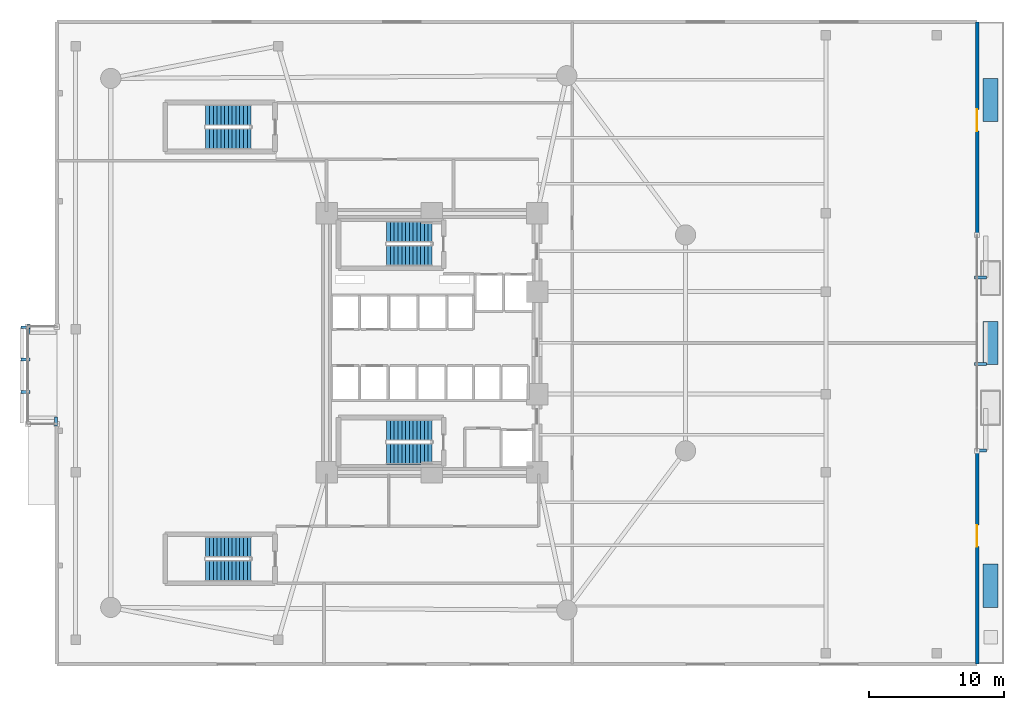
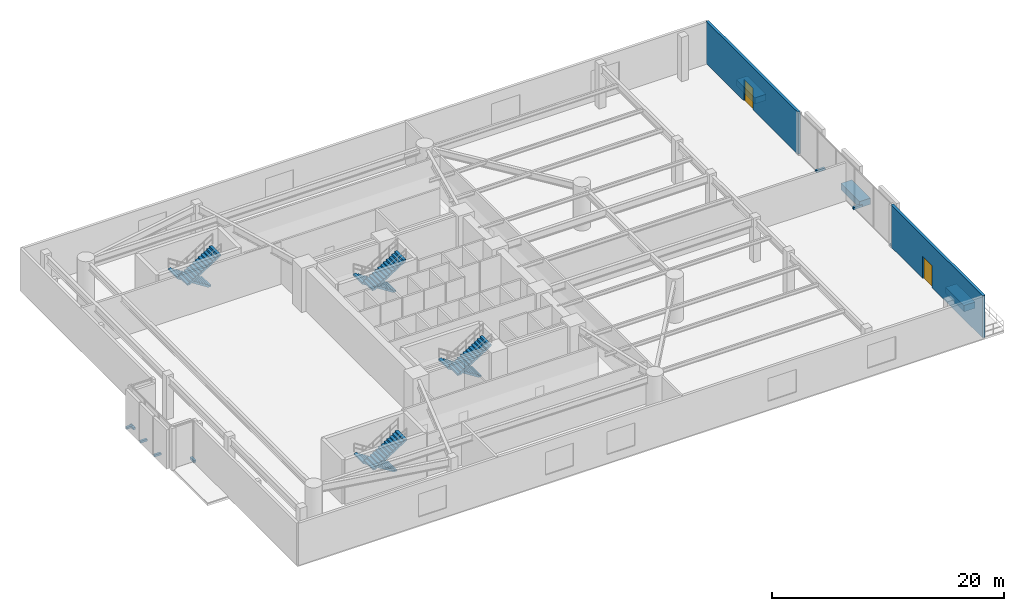
# One storey, part 13 of 16: 11 discrete accessories, 8 stair flights, 2 doors, 2 walls, 2 openings, 4 elements without a shape of their own.
"""IFC4 building model written with IfcOpenShell, lengths in metres."""

from ifc_helpers import new_model, si_unit, direction, frame, frame_2d, origin, origin_2d, place, context, subcontext, project, spatial, polyline, rectangle, outline, extrude, material, layer, layer_set, type_object, element, fill, aggregate, save


model = new_model("IFC4")

# Units and contexts
model_context = context("Model", 3, precision=1e-05, world=origin(), true_north=direction((0.0, 1.0)))
body_context = subcontext(model_context, "Body", "Model", "MODEL_VIEW")
ifc_project = project(units=[si_unit("LENGTHUNIT", "METRE"), si_unit("AREAUNIT", "SQUARE_METRE"), si_unit("VOLUMEUNIT", "CUBIC_METRE"), si_unit("PLANEANGLEUNIT", "RADIAN"), si_unit("MASSUNIT", "GRAM", prefix="KILO")], contexts=[model_context])

# Site, building, storey
site_placement = place(None, origin())
site = spatial("IfcSite", under=ifc_project, at=site_placement, CompositionType="ELEMENT")
building_placement = place(site_placement, origin())
building = spatial("IfcBuilding", under=site, at=building_placement, Name="An Khanh Terracotta Commons", CompositionType="ELEMENT")
storey_placement = place(building_placement, frame((0.0, 0.0, 10.050048828125)))
storey = spatial("IfcBuildingStorey", under=building, at=storey_placement, Name="L03", CompositionType="ELEMENT", Elevation=10.050048828125)

# Wall, opening, door
ifc_material_1 = material(Name="Concrete C40/50", Category="concrete")
ifc_layer = layer(ifc_material_1, 0.260009765625, Name="Concrete C40/50")
ifc_layer_set = layer_set([ifc_layer], Name="Concrete C40/50")
wall_type = type_object("IfcWallType", Name="WALL-POD-260", PredefinedType="SOLIDWALL", material=ifc_layer_set)
wall_1_placement = place(storey_placement, frame((69.800048828125, 16.0, 0.0), z_axis=(0.0, 0.0, 1.0), x_axis=(0.0, -1.0, 0.0)))
wall_1 = element("IfcWall", 1, at=wall_1_placement, inside=storey, type_object=wall_type, Name="L03 East Terrace Wall South", PredefinedType="SOLIDWALL", context=body_context, shape_type="SweptSolid", body=[
    extrude(rectangle(XDim=15.800048828125, YDim=0.260009765625, at=frame_2d((7.89990234375, 0.0))), origin(), (0.0, 0.0, 1.0), 4.429931640625),
])
opening_1_placement = place(wall_1_placement, frame((5.5, 0.0, 0.0)))
opening_1 = element("IfcOpeningElement", 2, at=opening_1_placement, cuts=wall_1, Name="Opening D-TER", PredefinedType="OPENING", context=body_context, shape_type="SweptSolid", body=[
    extrude(rectangle(XDim=1.60009765625, YDim=2.300048828125, at=frame_2d((0.800048828125, 1.14990234375))), frame((0.0, 0.139892578125, 0.0), z_axis=(0.0, -1.0, 0.0), x_axis=(1.0, 0.0, 0.0)), (0.0, 0.0, 1.0), 0.280029296875),
])
ifc_material_2 = material(Name="Thermally Broken Aluminium and Low-E Glass", Category="aluminium")
door_type = type_object("IfcDoorType", Name="DOOR-TERR-1600", OperationType="NOTDEFINED", PredefinedType="DOOR", material=ifc_material_2)
door_1_placement = place(opening_1_placement, origin())
door_1 = element("IfcDoor", 3, at=door_1_placement, inside=storey, type_object=door_type, Name="L03 South Commons Garden Terrace Door", OperationType="DOUBLE_DOOR_SINGLE_SWING", OverallHeight=2.300048828125, OverallWidth=1.60009765625, PredefinedType="DOOR", context=body_context, shape_type="SweptSolid", body=[
    extrude(rectangle(XDim=1.60009765625, YDim=2.300048828125, at=frame_2d((0.800048828125, 1.14990234375))), frame((0.0, 0.02490234375, 0.0), z_axis=(0.0, -1.0, 0.0), x_axis=(1.0, 0.0, 0.0)), (0.0, 0.0, 1.0), 0.050048828125),
])
fill(opening_1, door_1)

wall_2_placement = place(storey_placement, frame((69.800048828125, 47.800048828125, 0.0), z_axis=(0.0, 0.0, 1.0), x_axis=(0.0, -1.0, 0.0)))
wall_2 = element("IfcWall", 4, at=wall_2_placement, inside=storey, type_object=wall_type, Name="L03 East Terrace Wall North", PredefinedType="SOLIDWALL", context=body_context, shape_type="SweptSolid", body=[
    extrude(rectangle(XDim=15.800048828125, YDim=0.260009765625, at=frame_2d((7.89990234375, 0.0))), origin(), (0.0, 0.0, 1.0), 4.429931640625),
])
opening_2_placement = place(wall_2_placement, frame((6.5, 0.0, 0.0)))
opening_2 = element("IfcOpeningElement", 5, at=opening_2_placement, cuts=wall_2, Name="Opening D-TER", PredefinedType="OPENING", context=body_context, shape_type="SweptSolid", body=[
    extrude(rectangle(XDim=1.60009765625, YDim=2.300048828125, at=frame_2d((0.800048828125, 1.14990234375))), frame((0.0, 0.139892578125, 0.0), z_axis=(0.0, -1.0, 0.0), x_axis=(1.0, 0.0, 0.0)), (0.0, 0.0, 1.0), 0.280029296875),
])
door_2_placement = place(opening_2_placement, origin())
door_2 = element("IfcDoor", 6, at=door_2_placement, inside=storey, type_object=door_type, Name="L03 North Commons Garden Terrace Door", OperationType="DOUBLE_DOOR_SINGLE_SWING", OverallHeight=2.300048828125, OverallWidth=1.60009765625, PredefinedType="DOOR", context=body_context, shape_type="SweptSolid", body=[
    extrude(rectangle(XDim=1.60009765625, YDim=2.300048828125, at=frame_2d((0.800048828125, 1.14990234375))), frame((0.0, 0.02490234375, 0.0), z_axis=(0.0, -1.0, 0.0), x_axis=(1.0, 0.0, 0.0)), (0.0, 0.0, 1.0), 0.050048828125),
])
fill(opening_2, door_2)

# Stair, stair flights
ifc_material_3 = material(Name="Precast concrete C40/50", Category="concrete")
stair_type_1 = type_object("IfcStairType", Name="STAIR-CORE-1550", PredefinedType="HALF_TURN_STAIR", material=ifc_material_3)
stair_1_placement = place(storey_placement, origin())
stair_1 = element("IfcStair", 7, at=stair_1_placement, inside=storey, type_object=stair_type_1, Name="L03 Core Smokeproof Exit Stair ST-01", PredefinedType="HALF_TURN_STAIR")
stair_flight_type_1 = type_object("IfcStairFlightType", Name="FLIGHT-CORE-1550", PredefinedType="STRAIGHT", material=ifc_material_3)
stair_flight_1_placement = place(storey_placement, frame((29.409912109375, 32.22509765625, 0.0), z_axis=(0.0, 0.0, 1.0), x_axis=(-1.0, 0.0, 0.0)))
stair_flight_1 = element("IfcStairFlight", 8, at=stair_flight_1_placement, type_object=stair_flight_type_1, Name="ST-01 flight 1", NumberOfRisers=13, NumberOfTreads=12, PredefinedType="STRAIGHT", RiserHeight=0.178846154, TreadLength=0.28, context=body_context, shape_type="SweptSolid", body=[
    extrude(outline(polyline([(0.0, 0.0), (0.0, 0.178955078125), (0.280029296875, 0.178955078125), (0.280029296875, 0.357666015625), (0.56005859375, 0.357666015625), (0.56005859375, 0.53662109375), (0.840087890625, 0.53662109375), (0.840087890625, 0.71533203125), (1.1201171875, 0.71533203125), (1.1201171875, 0.894287109375), (1.39990234375, 0.894287109375), (1.39990234375, 1.072998046875), (1.679931640625, 1.072998046875), (1.679931640625, 1.251953125), (1.9599609375, 1.251953125), (1.9599609375, 1.4306640625), (2.239990234375, 1.4306640625), (2.239990234375, 1.609619140625), (2.52001953125, 1.609619140625), (2.52001953125, 1.78857421875), (2.800048828125, 1.78857421875), (2.800048828125, 1.96728515625), (3.080078125, 1.96728515625), (3.080078125, 2.146240234375), (3.360107421875, 2.146240234375), (3.360107421875, 2.324951171875), (3.360107421875, 1.96826171875), (0.278564453125, 0.0), (0.0, 0.0)])), frame((0.0, 0.77490234375, 0.0), z_axis=(0.0, -1.0, 0.0), x_axis=(1.0, 0.0, 0.0)), (0.0, 0.0, 1.0), 1.550048828125),
])
stair_flight_2_placement = place(storey_placement, frame((26.050048828125, 30.47509765625, 2.324951171875), z_axis=(0.0, 0.0, 1.0), x_axis=(1.0, 0.0, 0.0)))
stair_flight_2 = element("IfcStairFlight", 9, at=stair_flight_2_placement, type_object=stair_flight_type_1, Name="ST-01 flight 2", NumberOfRisers=13, NumberOfTreads=12, PredefinedType="STRAIGHT", RiserHeight=0.178846154, TreadLength=0.28, context=body_context, shape_type="SweptSolid", body=[
    extrude(outline(polyline([(0.0, 0.0), (0.0, 0.178955078125), (0.280029296875, 0.178955078125), (0.280029296875, 0.357666015625), (0.56005859375, 0.357666015625), (0.56005859375, 0.53662109375), (0.840087890625, 0.53662109375), (0.840087890625, 0.71533203125), (1.1201171875, 0.71533203125), (1.1201171875, 0.894287109375), (1.39990234375, 0.894287109375), (1.39990234375, 1.072998046875), (1.679931640625, 1.072998046875), (1.679931640625, 1.251953125), (1.9599609375, 1.251953125), (1.9599609375, 1.4306640625), (2.239990234375, 1.4306640625), (2.239990234375, 1.609619140625), (2.52001953125, 1.609619140625), (2.52001953125, 1.78857421875), (2.800048828125, 1.78857421875), (2.800048828125, 1.96728515625), (3.080078125, 1.96728515625), (3.080078125, 2.146240234375), (3.360107421875, 2.146240234375), (3.360107421875, 2.324951171875), (3.360107421875, 1.96826171875), (0.278564453125, 0.0), (0.0, 0.0)])), frame((0.0, 0.77490234375, 0.0), z_axis=(0.0, -1.0, 0.0), x_axis=(1.0, 0.0, 0.0)), (0.0, 0.0, 1.0), 1.550048828125),
])
aggregate(stair_1, [stair_flight_1, stair_flight_2])

stair_2_placement = place(storey_placement, origin())
stair_2 = element("IfcStair", 10, at=stair_2_placement, inside=storey, type_object=stair_type_1, Name="L03 Core Smokeproof Exit Stair ST-02", PredefinedType="HALF_TURN_STAIR")
stair_flight_3_placement = place(storey_placement, frame((29.409912109375, 17.52490234375, 0.0), z_axis=(0.0, 0.0, 1.0), x_axis=(-1.0, 0.0, 0.0)))
stair_flight_3 = element("IfcStairFlight", 11, at=stair_flight_3_placement, type_object=stair_flight_type_1, Name="ST-02 flight 1", NumberOfRisers=13, NumberOfTreads=12, PredefinedType="STRAIGHT", RiserHeight=0.178846154, TreadLength=0.28, context=body_context, shape_type="SweptSolid", body=[
    extrude(outline(polyline([(0.0, 0.0), (0.0, 0.178955078125), (0.280029296875, 0.178955078125), (0.280029296875, 0.357666015625), (0.56005859375, 0.357666015625), (0.56005859375, 0.53662109375), (0.840087890625, 0.53662109375), (0.840087890625, 0.71533203125), (1.1201171875, 0.71533203125), (1.1201171875, 0.894287109375), (1.39990234375, 0.894287109375), (1.39990234375, 1.072998046875), (1.679931640625, 1.072998046875), (1.679931640625, 1.251953125), (1.9599609375, 1.251953125), (1.9599609375, 1.4306640625), (2.239990234375, 1.4306640625), (2.239990234375, 1.609619140625), (2.52001953125, 1.609619140625), (2.52001953125, 1.78857421875), (2.800048828125, 1.78857421875), (2.800048828125, 1.96728515625), (3.080078125, 1.96728515625), (3.080078125, 2.146240234375), (3.360107421875, 2.146240234375), (3.360107421875, 2.324951171875), (3.360107421875, 1.96826171875), (0.278564453125, 0.0), (0.0, 0.0)])), frame((0.0, 0.77490234375, 0.0), z_axis=(0.0, -1.0, 0.0), x_axis=(1.0, 0.0, 0.0)), (0.0, 0.0, 1.0), 1.550048828125),
])
stair_flight_4_placement = place(storey_placement, frame((26.050048828125, 15.77490234375, 2.324951171875), z_axis=(0.0, 0.0, 1.0), x_axis=(1.0, 0.0, 0.0)))
stair_flight_4 = element("IfcStairFlight", 12, at=stair_flight_4_placement, type_object=stair_flight_type_1, Name="ST-02 flight 2", NumberOfRisers=13, NumberOfTreads=12, PredefinedType="STRAIGHT", RiserHeight=0.178846154, TreadLength=0.28, context=body_context, shape_type="SweptSolid", body=[
    extrude(outline(polyline([(0.0, 0.0), (0.0, 0.178955078125), (0.280029296875, 0.178955078125), (0.280029296875, 0.357666015625), (0.56005859375, 0.357666015625), (0.56005859375, 0.53662109375), (0.840087890625, 0.53662109375), (0.840087890625, 0.71533203125), (1.1201171875, 0.71533203125), (1.1201171875, 0.894287109375), (1.39990234375, 0.894287109375), (1.39990234375, 1.072998046875), (1.679931640625, 1.072998046875), (1.679931640625, 1.251953125), (1.9599609375, 1.251953125), (1.9599609375, 1.4306640625), (2.239990234375, 1.4306640625), (2.239990234375, 1.609619140625), (2.52001953125, 1.609619140625), (2.52001953125, 1.78857421875), (2.800048828125, 1.78857421875), (2.800048828125, 1.96728515625), (3.080078125, 1.96728515625), (3.080078125, 2.146240234375), (3.360107421875, 2.146240234375), (3.360107421875, 2.324951171875), (3.360107421875, 1.96826171875), (0.278564453125, 0.0), (0.0, 0.0)])), frame((0.0, 0.77490234375, 0.0), z_axis=(0.0, -1.0, 0.0), x_axis=(1.0, 0.0, 0.0)), (0.0, 0.0, 1.0), 1.550048828125),
])
aggregate(stair_2, [stair_flight_3, stair_flight_4])

stair_type_2 = type_object("IfcStairType", Name="STAIR-POD-1550", PredefinedType="HALF_TURN_STAIR", material=ifc_material_1)
stair_3_placement = place(storey_placement, origin())
stair_3 = element("IfcStair", 13, at=stair_3_placement, inside=storey, type_object=stair_type_2, Name="L03 Podium Commons Exit Stair ST-P1", PredefinedType="HALF_TURN_STAIR")
stair_flight_type_2 = type_object("IfcStairFlightType", Name="FLIGHT-POD-1550", PredefinedType="STRAIGHT", material=ifc_material_1)
stair_flight_5_placement = place(storey_placement, frame((16.0, 8.875, 0.0), z_axis=(0.0, 0.0, 1.0), x_axis=(-1.0, 0.0, 0.0)))
stair_flight_5 = element("IfcStairFlight", 14, at=stair_flight_5_placement, type_object=stair_flight_type_2, Name="ST-P1 flight 1", NumberOfRisers=13, NumberOfTreads=12, PredefinedType="STRAIGHT", RiserHeight=0.178846154, TreadLength=0.28, context=body_context, shape_type="SweptSolid", body=[
    extrude(outline(polyline([(0.0, 0.0), (0.0, 0.178955078125), (0.280029296875, 0.178955078125), (0.280029296875, 0.357666015625), (0.56005859375, 0.357666015625), (0.56005859375, 0.53662109375), (0.840087890625, 0.53662109375), (0.840087890625, 0.71533203125), (1.1201171875, 0.71533203125), (1.1201171875, 0.894287109375), (1.39990234375, 0.894287109375), (1.39990234375, 1.072998046875), (1.679931640625, 1.072998046875), (1.679931640625, 1.251953125), (1.9599609375, 1.251953125), (1.9599609375, 1.4306640625), (2.239990234375, 1.4306640625), (2.239990234375, 1.609619140625), (2.52001953125, 1.609619140625), (2.52001953125, 1.78857421875), (2.800048828125, 1.78857421875), (2.800048828125, 1.96728515625), (3.080078125, 1.96728515625), (3.080078125, 2.146240234375), (3.360107421875, 2.146240234375), (3.360107421875, 2.324951171875), (3.360107421875, 1.96826171875), (0.278564453125, 0.0), (0.0, 0.0)])), frame((0.0, 0.77490234375, 0.0), z_axis=(0.0, -1.0, 0.0), x_axis=(1.0, 0.0, 0.0)), (0.0, 0.0, 1.0), 1.550048828125),
])
stair_flight_6_placement = place(storey_placement, frame((12.639892578125, 7.125, 2.324951171875), z_axis=(0.0, 0.0, 1.0), x_axis=(1.0, 0.0, 0.0)))
stair_flight_6 = element("IfcStairFlight", 15, at=stair_flight_6_placement, type_object=stair_flight_type_2, Name="ST-P1 flight 2", NumberOfRisers=13, NumberOfTreads=12, PredefinedType="STRAIGHT", RiserHeight=0.178846154, TreadLength=0.28, context=body_context, shape_type="SweptSolid", body=[
    extrude(outline(polyline([(0.0, 0.0), (0.0, 0.178955078125), (0.280029296875, 0.178955078125), (0.280029296875, 0.357666015625), (0.56005859375, 0.357666015625), (0.56005859375, 0.53662109375), (0.840087890625, 0.53662109375), (0.840087890625, 0.71533203125), (1.1201171875, 0.71533203125), (1.1201171875, 0.894287109375), (1.39990234375, 0.894287109375), (1.39990234375, 1.072998046875), (1.679931640625, 1.072998046875), (1.679931640625, 1.251953125), (1.9599609375, 1.251953125), (1.9599609375, 1.4306640625), (2.239990234375, 1.4306640625), (2.239990234375, 1.609619140625), (2.52001953125, 1.609619140625), (2.52001953125, 1.78857421875), (2.800048828125, 1.78857421875), (2.800048828125, 1.96728515625), (3.080078125, 1.96728515625), (3.080078125, 2.146240234375), (3.360107421875, 2.146240234375), (3.360107421875, 2.324951171875), (3.360107421875, 1.96826171875), (0.278564453125, 0.0), (0.0, 0.0)])), frame((0.0, 0.77490234375, 0.0), z_axis=(0.0, -1.0, 0.0), x_axis=(1.0, 0.0, 0.0)), (0.0, 0.0, 1.0), 1.550048828125),
])
aggregate(stair_3, [stair_flight_5, stair_flight_6])

stair_4_placement = place(storey_placement, origin())
stair_4 = element("IfcStair", 16, at=stair_4_placement, inside=storey, type_object=stair_type_2, Name="L03 Podium Commons Exit Stair ST-P2", PredefinedType="HALF_TURN_STAIR")
stair_flight_7_placement = place(storey_placement, frame((16.0, 40.875, 0.0), z_axis=(0.0, 0.0, 1.0), x_axis=(-1.0, 0.0, 0.0)))
stair_flight_7 = element("IfcStairFlight", 17, at=stair_flight_7_placement, type_object=stair_flight_type_2, Name="ST-P2 flight 1", NumberOfRisers=13, NumberOfTreads=12, PredefinedType="STRAIGHT", RiserHeight=0.178846154, TreadLength=0.28, context=body_context, shape_type="SweptSolid", body=[
    extrude(outline(polyline([(0.0, 0.0), (0.0, 0.178955078125), (0.280029296875, 0.178955078125), (0.280029296875, 0.357666015625), (0.56005859375, 0.357666015625), (0.56005859375, 0.53662109375), (0.840087890625, 0.53662109375), (0.840087890625, 0.71533203125), (1.1201171875, 0.71533203125), (1.1201171875, 0.894287109375), (1.39990234375, 0.894287109375), (1.39990234375, 1.072998046875), (1.679931640625, 1.072998046875), (1.679931640625, 1.251953125), (1.9599609375, 1.251953125), (1.9599609375, 1.4306640625), (2.239990234375, 1.4306640625), (2.239990234375, 1.609619140625), (2.52001953125, 1.609619140625), (2.52001953125, 1.78857421875), (2.800048828125, 1.78857421875), (2.800048828125, 1.96728515625), (3.080078125, 1.96728515625), (3.080078125, 2.146240234375), (3.360107421875, 2.146240234375), (3.360107421875, 2.324951171875), (3.360107421875, 1.96826171875), (0.278564453125, 0.0), (0.0, 0.0)])), frame((0.0, 0.77490234375, 0.0), z_axis=(0.0, -1.0, 0.0), x_axis=(1.0, 0.0, 0.0)), (0.0, 0.0, 1.0), 1.550048828125),
])
stair_flight_8_placement = place(storey_placement, frame((12.639892578125, 39.125, 2.324951171875), z_axis=(0.0, 0.0, 1.0), x_axis=(1.0, 0.0, 0.0)))
stair_flight_8 = element("IfcStairFlight", 18, at=stair_flight_8_placement, type_object=stair_flight_type_2, Name="ST-P2 flight 2", NumberOfRisers=13, NumberOfTreads=12, PredefinedType="STRAIGHT", RiserHeight=0.178846154, TreadLength=0.28, context=body_context, shape_type="SweptSolid", body=[
    extrude(outline(polyline([(0.0, 0.0), (0.0, 0.178955078125), (0.280029296875, 0.178955078125), (0.280029296875, 0.357666015625), (0.56005859375, 0.357666015625), (0.56005859375, 0.53662109375), (0.840087890625, 0.53662109375), (0.840087890625, 0.71533203125), (1.1201171875, 0.71533203125), (1.1201171875, 0.894287109375), (1.39990234375, 0.894287109375), (1.39990234375, 1.072998046875), (1.679931640625, 1.072998046875), (1.679931640625, 1.251953125), (1.9599609375, 1.251953125), (1.9599609375, 1.4306640625), (2.239990234375, 1.4306640625), (2.239990234375, 1.609619140625), (2.52001953125, 1.609619140625), (2.52001953125, 1.78857421875), (2.800048828125, 1.78857421875), (2.800048828125, 1.96728515625), (3.080078125, 1.96728515625), (3.080078125, 2.146240234375), (3.360107421875, 2.146240234375), (3.360107421875, 2.324951171875), (3.360107421875, 1.96826171875), (0.278564453125, 0.0), (0.0, 0.0)])), frame((0.0, 0.77490234375, 0.0), z_axis=(0.0, -1.0, 0.0), x_axis=(1.0, 0.0, 0.0)), (0.0, 0.0, 1.0), 1.550048828125),
])
aggregate(stair_4, [stair_flight_7, stair_flight_8])

# Discrete accessories
ifc_material_4 = material(Name="Stainless Steel Grade 316L", Category="steel")
discrete_accessory_type_1 = type_object("IfcDiscreteAccessoryType", Name="Stainless Outrigger Facade Bracket", PredefinedType="BRACKET", material=ifc_material_4)
for number, where, z_axis, x_axis, name in (
    (19, (-0.715087890625, 25.159912109375, 0.06982421875), (0.0, 0.0, 1.0), (0.0, -1.0, 0.0), "L03 Terracotta Screen Outrigger Bracket 1"),
    (20, (-0.715087890625, 22.760009765625, 0.06982421875), (0.0, 0.0, 1.0), (0.0, -1.0, 0.0), "L03 Terracotta Screen Outrigger Bracket 2"),
    (21, (-0.715087890625, 20.360107421875, 0.06982421875), (0.0, 0.0, 1.0), (0.0, -1.0, 0.0), "L03 Terracotta Screen Outrigger Bracket 3"),
    (22, (1.56005859375, 18.1650390625, 0.06982421875), (0.0, 0.0, 1.0), (-1.0, 0.0, 0.0), "L03 Terracotta Screen Outrigger Bracket 1"),
    (23, (-0.510009765625, 25.034912109375, 0.06982421875), (0.0, 0.0, 1.0), (1.0, 0.0, 0.0), "L03 Terracotta Screen Outrigger Bracket 1"),
):
    element("IfcDiscreteAccessory", number, at=place(storey_placement, frame(where, z_axis=z_axis, x_axis=x_axis)), inside=storey, type_object=discrete_accessory_type_1, Name=name, PredefinedType="BRACKET", context=body_context, shape_type="SweptSolid", body=[
        extrude(rectangle(XDim=0.219970703125, YDim=0.669921875, at=origin_2d()), origin(), (0.0, 0.0, 1.0), 0.219970703125),
    ])
for number, where, z_axis, x_axis, name in (
    (24, (70.06494140625, 16.031982421875, 0.06982421875), (0.0, 0.0, 1.0), (0.0, 1.0, 0.0), "L03 Terracotta Screen Outrigger Bracket 1"),
    (25, (70.06494140625, 22.43310546875, 0.06982421875), (0.0, 0.0, 1.0), (0.0, 1.0, 0.0), "L03 Terracotta Screen Outrigger Bracket 3"),
    (26, (70.06494140625, 28.8330078125, 0.06982421875), (0.0, 0.0, 1.0), (0.0, 1.0, 0.0), "L03 Terracotta Screen Outrigger Bracket 5"),
):
    element("IfcDiscreteAccessory", number, at=place(storey_placement, frame(where, z_axis=z_axis, x_axis=x_axis)), inside=storey, type_object=discrete_accessory_type_1, Name=name, PredefinedType="BRACKET", context=body_context, shape_type="SweptSolid", body=[
        extrude(rectangle(XDim=0.219970703125, YDim=0.8701171875, at=origin_2d()), origin(), (0.0, 0.0, 1.0), 0.219970703125),
    ])
ifc_material_5 = material(Name="Planted Garden Soil Substrate in Precast GRC", Category="concrete")
discrete_accessory_type_2 = type_object("IfcDiscreteAccessoryType", Name="Terrace Garden Planter", PredefinedType="USERDEFINED", material=ifc_material_5)
for number, where, z_axis, x_axis, name in (
    (27, (70.800048828125, 6.0, 0.0), (0.0, 0.0, 1.0), (1.0, 0.0, 0.0), "L03 Terrace Garden Planter 1"),
    (28, (70.800048828125, 24.0, 0.0), (0.0, 0.0, 1.0), (1.0, 0.0, 0.0), "L03 Terrace Garden Planter 2"),
    (29, (70.800048828125, 42.0, 0.0), (0.0, 0.0, 1.0), (1.0, 0.0, 0.0), "L03 Terrace Garden Planter 3"),
):
    element("IfcDiscreteAccessory", number, at=place(storey_placement, frame(where, z_axis=z_axis, x_axis=x_axis)), inside=storey, type_object=discrete_accessory_type_2, Name=name, ObjectType="PLANTER", PredefinedType="USERDEFINED", context=body_context, shape_type="SweptSolid", body=[
        extrude(rectangle(XDim=1.10009765625, YDim=3.199951171875, at=origin_2d()), origin(), (0.0, 0.0, 1.0), 0.64990234375),
    ])

save(model, "model.ifc")
